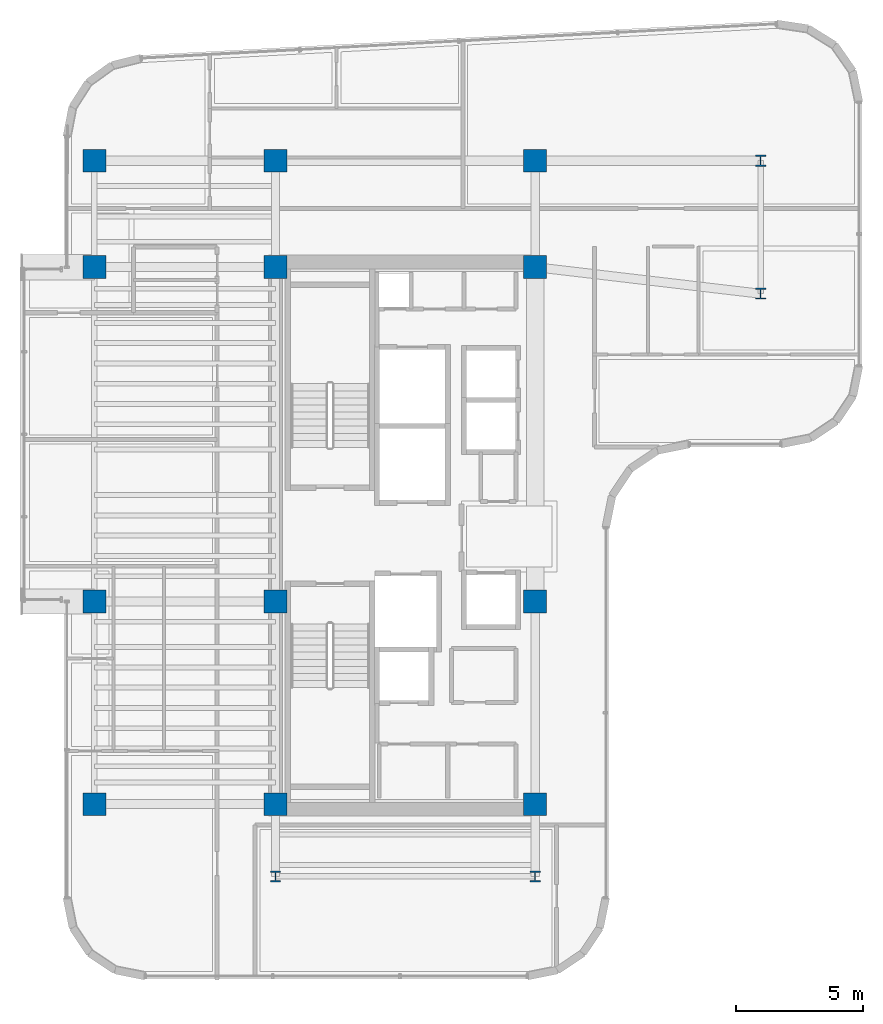
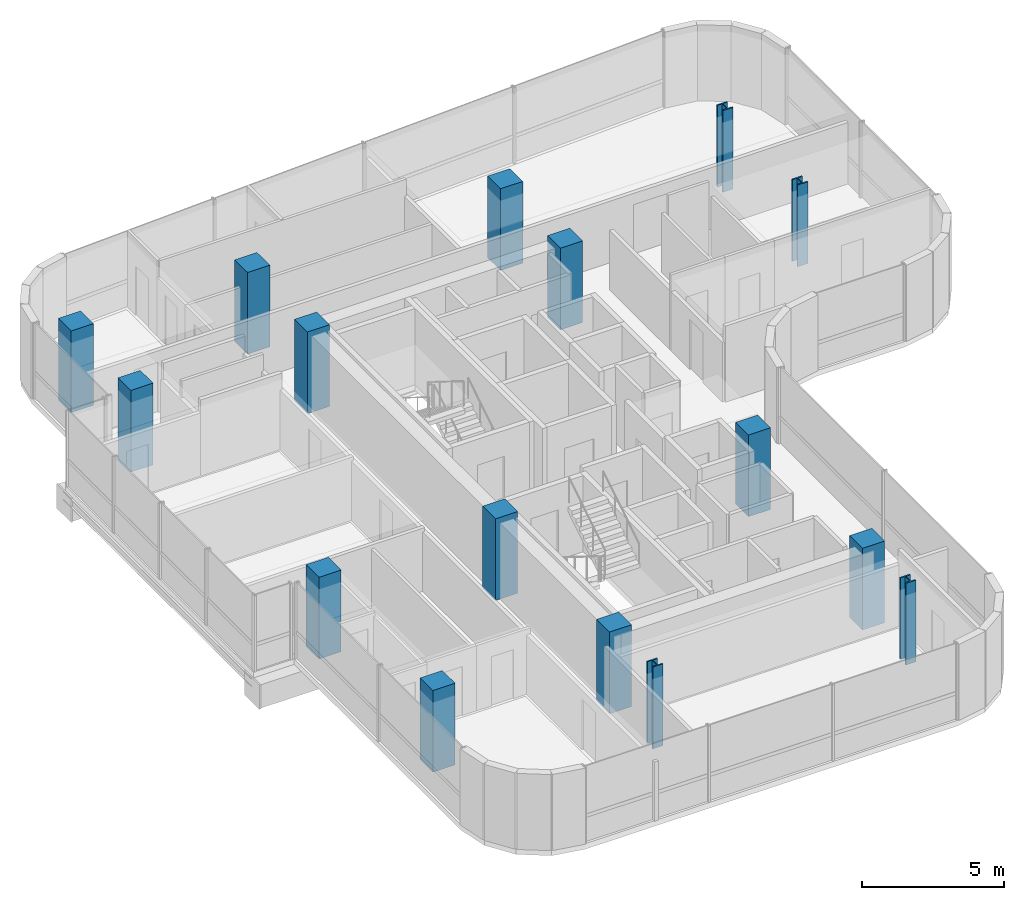
# One storey, part 1 of 22: 16 columns.
"""IFC4 building model written with IfcOpenShell, lengths in metres."""

from ifc_helpers import new_model, si_unit, direction, frame, origin, origin_2d, place, context, subcontext, project, spatial, rectangle, i_section, extrude, source, transform, mapped, material, material_profile, profile_set, type_object, element, save


model = new_model("IFC4")

# Units and contexts
model_context = context("Model", 3, precision=1e-05, world=origin(), true_north=direction((0.0, 1.0)))
body_context = subcontext(model_context, "Body", "Model", "MODEL_VIEW")
ifc_project = project(units=[si_unit("LENGTHUNIT", "METRE"), si_unit("AREAUNIT", "SQUARE_METRE"), si_unit("VOLUMEUNIT", "CUBIC_METRE"), si_unit("PLANEANGLEUNIT", "RADIAN"), si_unit("MASSUNIT", "GRAM", prefix="KILO")], contexts=[model_context])

# Site, building, storey
site_placement = place(None, origin())
site = spatial("IfcSite", under=ifc_project, at=site_placement, CompositionType="ELEMENT")
building_placement = place(site_placement, origin())
building = spatial("IfcBuilding", under=site, at=building_placement, Name="Valdorenza Pilgrim Sanctuary Tower", CompositionType="ELEMENT")
storey_placement = place(building_placement, frame((0.0, 0.0, 209.0)))
storey = spatial("IfcBuildingStorey", under=building, at=storey_placement, Name="L53", CompositionType="ELEMENT", Elevation=209.0)

# Columns
ifc_material_1 = material(Name="Concrete C50/60", Category="concrete")
ifc_material_profile_1 = material_profile(ifc_material_1, rectangle(XDim=0.89990234375, YDim=0.89990234375, at=origin_2d()), Name="RC 900x900")
ifc_profile_set_1 = profile_set([ifc_material_profile_1], Name="Concrete C50/60")
column_type_1 = type_object("IfcColumnType", Name="COL-Z4A-900", PredefinedType="COLUMN", material=ifc_profile_set_1)
shared_shape_1 = source(origin(), body_context, "Body", "SweptSolid", [
    extrude(rectangle(XDim=0.89990234375, YDim=0.89990234375, at=origin_2d()), origin(), (0.0, 0.0, 1.0), 3.5),
])
for number, where, z_axis, x_axis, name in (
    (1, (-29.800048828125, -10.60009765625, 0.0), (0.0, 0.0, 1.0), (1.0, 0.0, 0.0), "L53 Perimeter Column WA-W-S1"),
    (2, (-22.64990234375, -10.60009765625, 0.0), (0.0, 0.0, 1.0), (1.0, 0.0, 0.0), "L53 Column CA-W-S1"),
    (3, (-12.39990234375, -10.60009765625, 0.0), (0.0, 0.0, 1.0), (1.0, 0.0, 0.0), "L53 Column CA-E-S1"),
    (4, (-29.800048828125, -2.60009765625, 0.0), (0.0, 0.0, 1.0), (1.0, 0.0, 0.0), "L53 Perimeter Column WA-W-M0"),
    (5, (-22.64990234375, -2.60009765625, 0.0), (0.0, 0.0, 1.0), (1.0, 0.0, 0.0), "L53 Column CA-W-M0"),
    (6, (-12.39990234375, -2.60009765625, 0.0), (0.0, 0.0, 1.0), (1.0, 0.0, 0.0), "L53 Column CA-E-M0"),
    (7, (-29.800048828125, 10.60009765625, 0.0), (0.0, 0.0, 1.0), (1.0, 0.0, 0.0), "L53 Perimeter Column WA-W-N1"),
    (8, (-22.64990234375, 10.60009765625, 0.0), (0.0, 0.0, 1.0), (1.0, 0.0, 0.0), "L53 Column CA-W-N1"),
    (9, (-12.39990234375, 10.60009765625, 0.0), (0.0, 0.0, 1.0), (1.0, 0.0, 0.0), "L53 Column CA-E-N1"),
    (10, (-29.800048828125, 14.800048828125, 0.0), (0.0, 0.0, 1.0), (1.0, 0.0, 0.0), "L53 Perimeter Column WA-W-N2"),
    (11, (-22.64990234375, 14.800048828125, 0.0), (0.0, 0.0, 1.0), (1.0, 0.0, 0.0), "L53 Column CA-W-N2"),
    (12, (-12.39990234375, 14.800048828125, 0.0), (0.0, 0.0, 1.0), (1.0, 0.0, 0.0), "L53 Column CA-E-N2"),
):
    element("IfcColumn", number, at=place(storey_placement, frame(where, z_axis=z_axis, x_axis=x_axis)), inside=storey, type_object=column_type_1, Name=name, PredefinedType="COLUMN", context=body_context, shape_type="MappedRepresentation", body=[
        mapped(shared_shape_1, transform((0.0, 0.0, 0.0), x_axis=(1.0, 0.0, 0.0), y_axis=(0.0, 1.0, 0.0), z_axis=(0.0, 0.0, 1.0), scale=1.0)),
    ])
ifc_material_2 = material(Name="Steel ASTM A992 Grade 50", Category="steel")
ifc_material_profile_2 = material_profile(ifc_material_2, i_section(OverallWidth=0.412109375, OverallDepth=0.43505859375, WebThickness=0.035888671875, FlangeThickness=0.057373046875, at=origin_2d()), Name="W14X311")
ifc_profile_set_2 = profile_set([ifc_material_profile_2], Name="Steel ASTM A992 Grade 50")
column_type_2 = type_object("IfcColumnType", Name="COL-STL-W311", PredefinedType="COLUMN", material=ifc_profile_set_2)
shared_shape_2 = source(origin(), body_context, "Body", "SweptSolid", [
    extrude(i_section(OverallWidth=0.412109375, OverallDepth=0.43505859375, WebThickness=0.035888671875, FlangeThickness=0.057373046875, at=origin_2d()), origin(), (0.0, 0.0, 1.0), 3.5),
])
for number, where, z_axis, x_axis, name in (
    (13, (-22.64990234375, -13.449951171875, 0.0), (0.0, 0.0, 1.0), (1.0, 0.0, 0.0), "L53 Column WA-S-W"),
    (14, (-12.39990234375, -13.449951171875, 0.0), (0.0, 0.0, 1.0), (1.0, 0.0, 0.0), "L53 Column WA-S-E"),
    (15, (-3.5, 9.550048828125, 0.0), (0.0, 0.0, 1.0), (1.0, 0.0, 0.0), "L53 Column UWA-K1"),
    (16, (-3.5, 14.800048828125, 0.0), (0.0, 0.0, 1.0), (1.0, 0.0, 0.0), "L53 Column UWA-K2"),
):
    element("IfcColumn", number, at=place(storey_placement, frame(where, z_axis=z_axis, x_axis=x_axis)), inside=storey, type_object=column_type_2, Name=name, PredefinedType="COLUMN", context=body_context, shape_type="MappedRepresentation", body=[
        mapped(shared_shape_2, transform((0.0, 0.0, 0.0), x_axis=(1.0, 0.0, 0.0), y_axis=(0.0, 1.0, 0.0), z_axis=(0.0, 0.0, 1.0), scale=1.0)),
    ])

save(model, "model.ifc")
